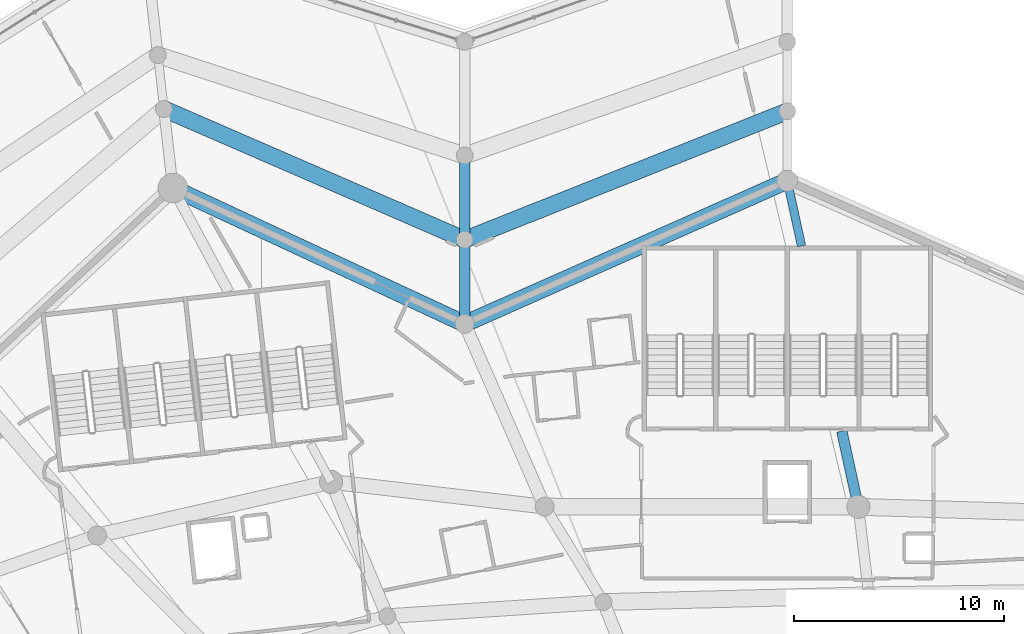
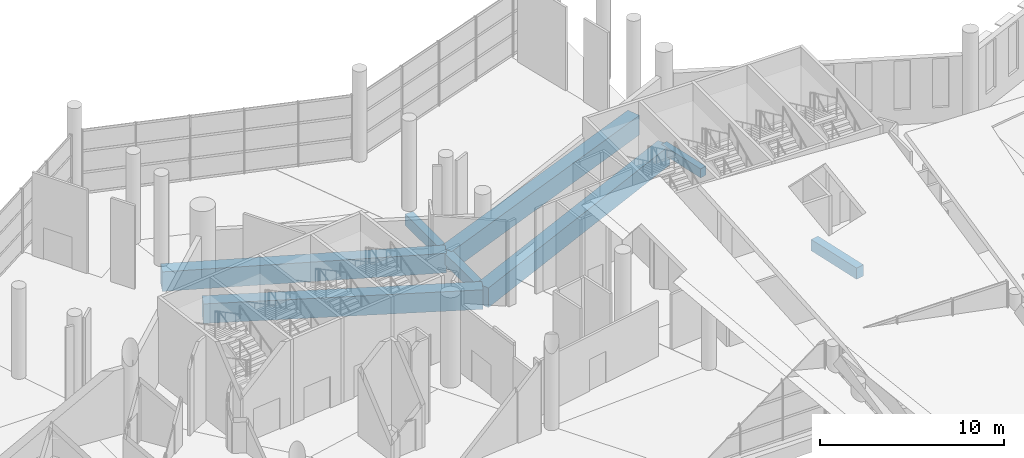
# One storey, part 69 of 249: 8 beams.
"""IFC4 building model written with IfcOpenShell, lengths in metres."""

from ifc_helpers import new_model, si_unit, direction, frame, origin, origin_2d, place, context, subcontext, project, spatial, rectangle, extrude, material, material_profile, profile_set, type_object, element, save


model = new_model("IFC4")

# Units and contexts
model_context = context("Model", 3, precision=1e-05, world=origin(), true_north=direction((0.0, 1.0)))
body_context = subcontext(model_context, "Body", "Model", "MODEL_VIEW")
ifc_project = project(units=[si_unit("LENGTHUNIT", "METRE"), si_unit("AREAUNIT", "SQUARE_METRE"), si_unit("VOLUMEUNIT", "CUBIC_METRE"), si_unit("PLANEANGLEUNIT", "RADIAN"), si_unit("MASSUNIT", "GRAM", prefix="KILO")], contexts=[model_context])

# Site, building, storey
site_placement = place(None, origin())
site = spatial("IfcSite", under=ifc_project, at=site_placement, CompositionType="ELEMENT")
building_placement = place(site_placement, origin())
building = spatial("IfcBuilding", under=site, at=building_placement, Name="Meseta Stadium", CompositionType="ELEMENT")
storey_placement = place(building_placement, frame((0.0, 0.0, 12.0)))
storey = spatial("IfcBuildingStorey", under=building, at=storey_placement, Name="L02", CompositionType="ELEMENT", Elevation=12.0)

# Beams
ifc_material_1 = material(Name="Concrete C40/50", Category="concrete")
ifc_material_profile_1 = material_profile(ifc_material_1, rectangle(XDim=0.39990234375, YDim=0.60009765625, at=origin_2d()), Name="RC 400x600")
ifc_profile_set_1 = profile_set([ifc_material_profile_1], Name="Concrete C40/50")
beam_type_1 = type_object("IfcBeamType", Name="RC beam 400x600", PredefinedType="BEAM", material=ifc_profile_set_1)
beam_1_placement = place(storey_placement, frame((-22.3251953125, 102.300048828125, -0.64990234375), z_axis=(-0.212707595725, 0.977115898305, 0.0), x_axis=(-0.977115898305, -0.212707595725, 0.0)))
element("IfcBeam", 1, at=beam_1_placement, inside=storey, type_object=beam_type_1, Name="L02 radial beam frame 20 line P to R", PredefinedType="BEAM", context=body_context, shape_type="SweptSolid", body=[
    extrude(rectangle(XDim=0.39990234375, YDim=0.60009765625, at=origin_2d()), origin(), (0.0, 0.0, 1.0), 3.17236328125),
])
ifc_material_2 = material(Name="Concrete C40/50", Category="concrete")
ifc_material_profile_2 = material_profile(ifc_material_2, rectangle(XDim=0.5, YDim=0.75, at=origin_2d()), Name="RC 500x750")
ifc_profile_set_2 = profile_set([ifc_material_profile_2], Name="Concrete C40/50")
beam_type_2 = type_object("IfcBeamType", Name="RC beam 500x750", PredefinedType="BEAM", material=ifc_profile_set_2)
beam_2_placement = place(storey_placement, frame((-19.62744140625, 89.90380859375, -0.72509765625), z_axis=(-0.212671990307, 0.977123648541, 0.0), x_axis=(-0.977123648541, -0.212671990307, 0.0)))
element("IfcBeam", 2, at=beam_2_placement, inside=storey, type_object=beam_type_2, Name="L02 radial beam frame 20 line P to R", PredefinedType="BEAM", context=body_context, shape_type="SweptSolid", body=[
    extrude(rectangle(XDim=0.5, YDim=0.75, at=origin_2d()), origin(), (0.0, 0.0, 1.0), 3.680419921875),
])
for number, where, z_axis, x_axis, name in (
    (3, (-38.333251953125, 98.60009765625, -0.72509765625), (0.0, 1.0, 0.0), (-1.0, 0.0, 0.0), "L02 radial beam frame 21 line R to M"),
    (4, (-38.333251953125, 102.60009765625, -0.72509765625), (0.0, 1.0, 0.0), (-1.0, 0.0, 0.0), "L02 radial beam frame 21 line M to Q"),
):
    element("IfcBeam", number, at=place(storey_placement, frame(where, z_axis=z_axis, x_axis=x_axis)), inside=storey, type_object=beam_type_2, Name=name, PredefinedType="BEAM", context=body_context, shape_type="SweptSolid", body=[
        extrude(rectangle(XDim=0.5, YDim=0.75, at=origin_2d()), origin(), (0.0, 0.0, 1.0), 4.0),
    ])
ifc_material_3 = material(Name="Concrete C40/50", Category="concrete")
ifc_material_profile_3 = material_profile(ifc_material_3, rectangle(XDim=0.800048828125, YDim=1.300048828125, at=origin_2d()), Name="RC 800x1300")
ifc_profile_set_3 = profile_set([ifc_material_profile_3], Name="Concrete C40/50")
beam_type_3 = type_object("IfcBeamType", Name="RC beam 800x1300", PredefinedType="BEAM", material=ifc_profile_set_3)
beam_3_placement = place(storey_placement, frame((-23.0, 105.39990234375, -1.0), z_axis=(-0.914142564088, -0.405392861953, 0.0), x_axis=(0.405392861953, -0.914142564088, 0.0)))
element("IfcBeam", 5, at=beam_3_placement, inside=storey, type_object=beam_type_3, Name="L02 ring beam frame 20 line R", PredefinedType="BEAM", context=body_context, shape_type="SweptSolid", body=[
    extrude(rectangle(XDim=0.800048828125, YDim=1.300048828125, at=origin_2d()), origin(), (0.0, 0.0, 1.0), 16.7734375),
])
beam_4_placement = place(storey_placement, frame((-38.333251953125, 98.60009765625, -1.0), z_axis=(-0.906704363154, 0.421766757625, 0.0), x_axis=(-0.421766757625, -0.906704363154, 0.0)))
element("IfcBeam", 6, at=beam_4_placement, inside=storey, type_object=beam_type_3, Name="L02 ring beam frame 21 line R", PredefinedType="BEAM", context=body_context, shape_type="SweptSolid", body=[
    extrude(rectangle(XDim=0.800048828125, YDim=1.300048828125, at=origin_2d()), origin(), (0.0, 0.0, 1.0), 15.296630859375),
])
beam_5_placement = place(storey_placement, frame((-23.0, 108.699951171875, -1.0), z_axis=(-0.929173963419, -0.369642727108, 0.0), x_axis=(0.369642727108, -0.929173963419, 0.0)))
element("IfcBeam", 7, at=beam_5_placement, inside=storey, type_object=beam_type_3, Name="L02 ring beam frame 20 line M", PredefinedType="BEAM", context=body_context, shape_type="SweptSolid", body=[
    extrude(rectangle(XDim=0.800048828125, YDim=1.300048828125, at=origin_2d()), origin(), (0.0, 0.0, 1.0), 16.501953125),
])
beam_6_placement = place(storey_placement, frame((-38.333251953125, 102.60009765625, -1.0), z_axis=(-0.917218444674, 0.398384644219, 0.0), x_axis=(-0.398384644219, -0.917218444674, 0.0)))
element("IfcBeam", 8, at=beam_6_placement, inside=storey, type_object=beam_type_3, Name="L02 ring beam frame 21 line M", PredefinedType="BEAM", context=body_context, shape_type="SweptSolid", body=[
    extrude(rectangle(XDim=0.800048828125, YDim=1.300048828125, at=origin_2d()), origin(), (0.0, 0.0, 1.0), 15.5830078125),
])

save(model, "model.ifc")
